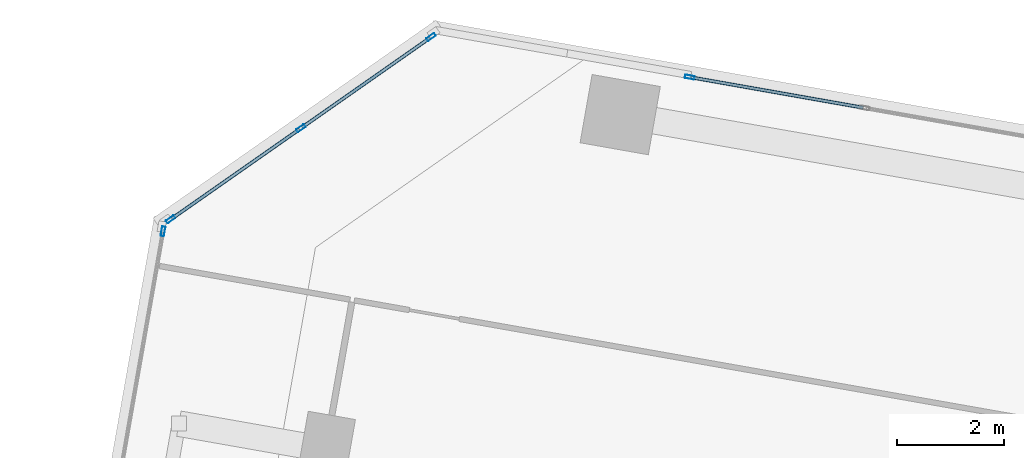
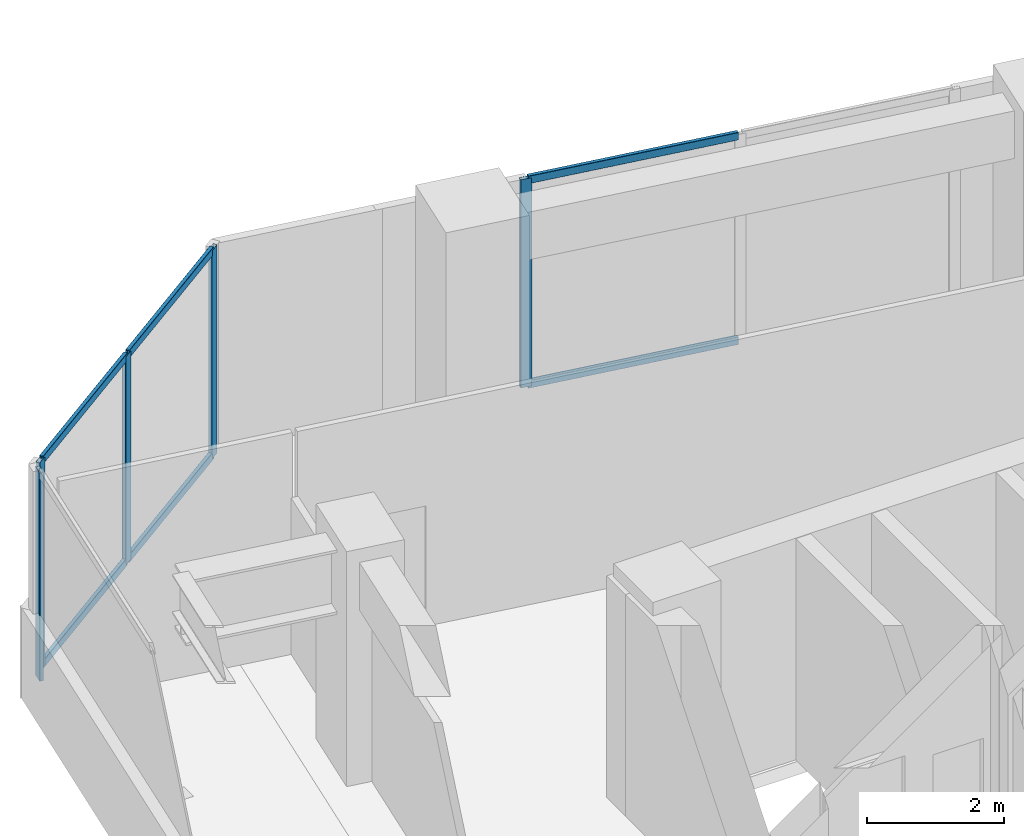
# One storey, part 14 of 24: 11 members, 3 elements without a shape of their own.
"""IFC4 building model written with IfcOpenShell, lengths in metres."""

import ifcopenshell
import ifcopenshell.guid

model = None  # the IFC model being written
_history = None  # IfcOwnerHistory: only IFC2X3 demands one
_inside = {}  # id of a spatial element -> (the spatial element, [elements in it])
_under = {}  # id of a project, library or spatial element -> (it, [spatial elements below it])
_declared = {}  # id of a project -> (the project, [libraries it declares])
_typed = {}  # id of a type object -> (the type object, [elements of that type])
_made_of = {}  # id of a material, layer set ... -> (it, [elements and type objects made of it])


def new_model(schema):
    """Start an empty IFC model of exactly this schema.

    Asked for "IFC4X3", IfcOpenShell would pick the latest addendum, in which some entities
    have other attributes; the version numbers below select the first issue.
    IFC2X3 requires an IfcOwnerHistory on every rooted entity: one is made here for all.
    """
    global model, _history
    if schema == "IFC4X3":
        model = ifcopenshell.file(schema_version=(4, 3, 0, 0))
    else:
        model = ifcopenshell.file(schema=schema)
    _inside.clear()
    _under.clear()
    _declared.clear()
    _typed.clear()
    _made_of.clear()
    _history = None
    if model.schema == "IFC2X3":
        org = make("IfcOrganization", Name="unknown")
        user = make(
            "IfcPersonAndOrganization",
            ThePerson=make("IfcPerson", FamilyName="unknown"),
            TheOrganization=org,
        )
        app = make(
            "IfcApplication",
            ApplicationDeveloper=org,
            Version="unknown",
            ApplicationFullName="unknown",
            ApplicationIdentifier="unknown",
        )
        _history = make(
            "IfcOwnerHistory",
            OwningUser=user,
            OwningApplication=app,
            ChangeAction="ADDED",
            CreationDate=0,
        )
    return model


def make(cls, **values):
    """One entity of the class cls with the attributes given. An attribute that is None is left unset."""
    return model.create_entity(
        cls, **{name: value for name, value in values.items() if value is not None}
    )


def rooted(cls, **values):
    """An entity with a GlobalId (a new one), such as an element, a storey or a relation."""
    return make(cls, GlobalId=ifcopenshell.guid.new(), OwnerHistory=_history, **values)


def si_unit(unit_type, name, prefix=None):
    """IfcSIUnit, for example si_unit("LENGTHUNIT", "METRE", prefix="MILLI")."""
    return make("IfcSIUnit", UnitType=unit_type, Prefix=prefix, Name=name)


def assignment(units):
    """IfcUnitAssignment: the units of a project."""
    return None if units is None else make("IfcUnitAssignment", Units=units)


def point(xyz):
    """IfcCartesianPoint."""
    return None if xyz is None else make("IfcCartesianPoint", Coordinates=xyz)


def direction(xyz):
    """IfcDirection."""
    return None if xyz is None else make("IfcDirection", DirectionRatios=xyz)


def frame(location, z_axis=None, x_axis=None):
    """IfcAxis2Placement3D, a coordinate frame: its origin and axes. An axis left out is left unset."""
    return make(
        "IfcAxis2Placement3D",
        Location=point(location),
        Axis=direction(z_axis),
        RefDirection=direction(x_axis),
    )


def frame_2d(location, x_axis=None):
    """IfcAxis2Placement2D, a coordinate frame in the plane: its origin and x axis."""
    return make(
        "IfcAxis2Placement2D", Location=point(location), RefDirection=direction(x_axis)
    )


def origin():
    """The frame at (0, 0, 0) with its axes left unset."""
    return frame((0.0, 0.0, 0.0))


def origin_2d():
    """The frame at (0, 0) in the plane with its x axis left unset."""
    return frame_2d((0.0, 0.0))


def place(relative_to, where):
    """IfcLocalPlacement: puts the frame where relative to a parent placement (None: the world)."""
    return make(
        "IfcLocalPlacement", PlacementRelTo=relative_to, RelativePlacement=where
    )


def context(
    kind, dimensions, precision=None, world=None, true_north=None, identifier=None
):
    """IfcGeometricRepresentationContext, for example the 3D "Model" context."""
    return make(
        "IfcGeometricRepresentationContext",
        ContextIdentifier=identifier,
        ContextType=kind,
        CoordinateSpaceDimension=dimensions,
        Precision=precision,
        WorldCoordinateSystem=world,
        TrueNorth=true_north,
    )


def subcontext(parent, identifier, kind, view, scale=None):
    """IfcGeometricRepresentationSubContext, for example "Body" below "Model"."""
    return make(
        "IfcGeometricRepresentationSubContext",
        ContextIdentifier=identifier,
        ContextType=kind,
        ParentContext=parent,
        TargetScale=scale,
        TargetView=view,
    )


def project(units=None, contexts=None):
    """IfcProject with its units and contexts."""
    return rooted(
        "IfcProject",
        Name="project",
        RepresentationContexts=contexts,
        UnitsInContext=assignment(units),
    )


def spatial(cls, under=None, at=None, **own):
    """A site, building, storey or space (cls), placed at a placement, below another one or the project."""
    s = rooted(cls, ObjectPlacement=at, **own)
    if under is not None:
        _under.setdefault(under.id(), (under, []))[1].append(s)
    return s


def profile(cls, at=None, kind="AREA", **sizes):
    """A parametric profile (cls). Its sizes go by their IFC names, for example OverallWidth=200.0."""
    return make(cls, ProfileType=kind, Position=at, **sizes)


def hollow_rectangle(**sizes):
    """IfcRectangleHollowProfileDef."""
    return profile("IfcRectangleHollowProfileDef", **sizes)


def extrude(swept, where, along, depth):
    """IfcExtrudedAreaSolid: the profile swept, set in the frame where, extruded along a direction by depth."""
    return make(
        "IfcExtrudedAreaSolid",
        SweptArea=swept,
        Position=where,
        ExtrudedDirection=direction(along),
        Depth=depth,
    )


def shape(context_of_items, identifier, shape_type, items):
    """IfcShapeRepresentation: the items that make up one representation, for example the "Body"."""
    return make(
        "IfcShapeRepresentation",
        ContextOfItems=context_of_items,
        RepresentationIdentifier=identifier,
        RepresentationType=shape_type,
        Items=items,
    )


def source(mapping_origin, context_of_items, identifier, shape_type, items):
    """IfcRepresentationMap: a shape defined once, which mapped items show again and again."""
    return make(
        "IfcRepresentationMap",
        MappingOrigin=mapping_origin,
        MappedRepresentation=shape(context_of_items, identifier, shape_type, items),
    )


def transform(
    local_origin,
    x_axis=None,
    y_axis=None,
    z_axis=None,
    scale=None,
    scale2=None,
    scale3=None,
    uniform=True,
):
    """IfcCartesianTransformationOperator3D, or its non-uniform kind. x_axis, y_axis, z_axis: its Axis1, 2, 3."""
    if uniform:
        return make(
            "IfcCartesianTransformationOperator3D",
            Axis1=direction(x_axis),
            Axis2=direction(y_axis),
            LocalOrigin=point(local_origin),
            Scale=scale,
            Axis3=direction(z_axis),
        )
    return make(
        "IfcCartesianTransformationOperator3DnonUniform",
        Axis1=direction(x_axis),
        Axis2=direction(y_axis),
        LocalOrigin=point(local_origin),
        Scale=scale,
        Axis3=direction(z_axis),
        Scale2=scale2,
        Scale3=scale3,
    )


def mapped(mapping_source, mapping_target):
    """IfcMappedItem: shows the shape of a source again, moved by a transform."""
    return make(
        "IfcMappedItem", MappingSource=mapping_source, MappingTarget=mapping_target
    )


def material(Name=None, Category=None):
    """IfcMaterial."""
    return make("IfcMaterial", Name=Name, Category=Category)


def material_profile(
    of_material, cross_section, Name=None, Category=None, Priority=None
):
    """IfcMaterialProfile: a cross section and its material."""
    return make(
        "IfcMaterialProfile",
        Name=Name,
        Material=of_material,
        Profile=cross_section,
        Priority=Priority,
        Category=Category,
    )


def profile_set(profiles, Name=None, composite=None):
    """IfcMaterialProfileSet."""
    return make(
        "IfcMaterialProfileSet",
        Name=Name,
        MaterialProfiles=profiles,
        CompositeProfile=composite,
    )


def made_of(thing, what):
    """Note that an element or type object is made of a material, layer set ...; save() writes the relation."""
    if what is not None:
        _made_of.setdefault(what.id(), (what, []))[1].append(thing)
    return thing


def type_object(cls, material=None, **own):
    """A type object (cls), such as IfcWallType, which elements share."""
    return made_of(rooted(cls, **own), material)


def element(
    cls,
    number,
    at=None,
    inside=None,
    cuts=None,
    type_object=None,
    material=None,
    context=None,
    identifier="Body",
    shape_type=None,
    held_by="IfcProductDefinitionShape",
    body=None,
    shapes=None,
    **own,
):
    """One element of the class cls, such as IfcWall. Its Tag is "e" and its number.

    at: its placement. inside: the storey or other place that contains it. cuts: it is an
    opening in that element (IfcRelVoidsElement). A single representation is given by context,
    identifier, shape_type and body (its items); several are given by shapes. held_by: the class
    of the entity that holds the representations. save() writes the other relations.
    """
    e = rooted(cls, Tag="e%d" % number, ObjectPlacement=at, **own)
    if body is not None:
        shapes = [shape(context, identifier, shape_type, body)]
    if shapes is not None:
        e.Representation = make(held_by, Representations=shapes)
    if inside is not None:
        _inside.setdefault(inside.id(), (inside, []))[1].append(e)
    if cuts is not None:
        rooted(
            "IfcRelVoidsElement", RelatingBuildingElement=cuts, RelatedOpeningElement=e
        )
    if type_object is not None:
        _typed.setdefault(type_object.id(), (type_object, []))[1].append(e)
    return made_of(e, material)


def aggregate(whole, parts):
    """IfcRelAggregates: a whole, such as a stair, and the parts it consists of."""
    return rooted("IfcRelAggregates", RelatingObject=whole, RelatedObjects=parts)


def save(model, path):
    """Write the relations noted so far, then the file.

    IfcRelAggregates (storeys below a building ...), IfcRelContainedInSpatialStructure (elements
    in a storey), IfcRelDefinesByType, IfcRelAssociatesMaterial and IfcRelDeclares: one each for
    every whole, place, type object, material and project.
    """
    for whole, parts in _under.values():
        aggregate(whole, parts)
    for where, things in _inside.values():
        rooted(
            "IfcRelContainedInSpatialStructure",
            RelatedElements=things,
            RelatingStructure=where,
        )
    for kind, things in _typed.values():
        rooted("IfcRelDefinesByType", RelatedObjects=things, RelatingType=kind)
    for what, things in _made_of.values():
        rooted("IfcRelAssociatesMaterial", RelatedObjects=things, RelatingMaterial=what)
    for by, libraries in _declared.values():
        rooted("IfcRelDeclares", RelatingContext=by, RelatedDefinitions=libraries)
    model.write(path)


model = new_model("IFC4")

# Units and contexts
model_context = context("Model", 3, precision=1e-05, world=origin(), true_north=direction((0.0, 1.0)))
body_context = subcontext(model_context, "Body", "Model", "MODEL_VIEW")
ifc_project = project(units=[si_unit("LENGTHUNIT", "METRE"), si_unit("AREAUNIT", "SQUARE_METRE"), si_unit("VOLUMEUNIT", "CUBIC_METRE"), si_unit("PLANEANGLEUNIT", "RADIAN"), si_unit("MASSUNIT", "GRAM", prefix="KILO")], contexts=[model_context])

# Site, building, storey
site_placement = place(None, origin())
site = spatial("IfcSite", under=ifc_project, at=site_placement, CompositionType="ELEMENT")
building_placement = place(site_placement, origin())
building = spatial("IfcBuilding", under=site, at=building_placement, Name="Torre Montelarca", CompositionType="ELEMENT")
storey_placement = place(building_placement, frame((0.0, 0.0, 74.800048828125)))
storey = spatial("IfcBuildingStorey", under=building, at=storey_placement, Name="L16", CompositionType="ELEMENT", Elevation=74.800048828125)

# Curtain wall, members
ifc_material_1 = material(Name="Insulated low-E laminated glass", Category="glass")
curtain_wall_type = type_object("IfcCurtainWallType", Name="CW-SYS-Z1", PredefinedType="USERDEFINED", material=ifc_material_1)
curtain_wall_1_placement = place(storey_placement, origin())
curtain_wall_1 = element("IfcCurtainWall", 1, at=curtain_wall_1_placement, inside=storey, type_object=curtain_wall_type, Name="L16 Curtain Wall Run CW-T3-L16-E08-B4", ObjectType="UNITISED GLAZING", PredefinedType="USERDEFINED")
ifc_material_2 = material(Name="Anodised aluminium AA 6063-T6", Category="aluminium")
ifc_material_profile_1 = material_profile(ifc_material_2, hollow_rectangle(XDim=0.06494140625, YDim=0.139892578125, WallThickness=0.00390625, InnerFilletRadius=0.00390625, OuterFilletRadius=0.008056640625, at=origin_2d()), Name="ALU65X140X4", Category="aluminium")
ifc_profile_set_1 = profile_set([ifc_material_profile_1], Name="Anodised aluminium AA 6063-T6")
member_type_1 = type_object("IfcMemberType", Name="CWT-ALU140", PredefinedType="USERDEFINED", material=ifc_profile_set_1)
shared_shape_1 = source(origin(), body_context, "Body", "SweptSolid", [
    extrude(hollow_rectangle(XDim=0.06494140625, YDim=0.139892578125, WallThickness=0.00390625, InnerFilletRadius=0.00390625, OuterFilletRadius=0.008056640625, at=origin_2d()), origin(), (0.0, 0.0, 1.0), 3.272705078125),
])
member_1_placement = place(storey_placement, frame((16.380126953125, 49.220703125, 0.032470703125), z_axis=(-0.984816586048, 0.17359807558, 0.0), x_axis=(-0.17359807558, -0.984816586048, 0.0)))
member_1 = element("IfcMember", 2, at=member_1_placement, type_object=member_type_1, Name="CW transom 2.1", ObjectType="TRANSOM", PredefinedType="USERDEFINED", context=body_context, shape_type="MappedRepresentation", body=[
    mapped(shared_shape_1, transform((0.0, 0.0, 0.0), scale=1.0)),
])
member_2_placement = place(storey_placement, frame((16.380126953125, 49.220703125, 3.6875), z_axis=(-0.984816586048, 0.17359807558, 0.0), x_axis=(-0.17359807558, -0.984816586048, 0.0)))
member_2 = element("IfcMember", 3, at=member_2_placement, type_object=member_type_1, Name="CW transom 2.2", ObjectType="TRANSOM", PredefinedType="USERDEFINED", context=body_context, shape_type="MappedRepresentation", body=[
    mapped(shared_shape_1, transform((0.0, 0.0, 0.0), scale=1.0)),
])

curtain_wall_2_placement = place(storey_placement, origin())
curtain_wall_2 = element("IfcCurtainWall", 4, at=curtain_wall_2_placement, inside=storey, type_object=curtain_wall_type, Name="L16 Curtain Wall Run CW-T3-L16-E09-B1", ObjectType="UNITISED GLAZING", PredefinedType="USERDEFINED")
shared_shape_2 = source(origin(), body_context, "Body", "SweptSolid", [
    extrude(hollow_rectangle(XDim=0.06494140625, YDim=0.139892578125, WallThickness=0.00390625, InnerFilletRadius=0.00390625, OuterFilletRadius=0.008056640625, at=origin_2d()), origin(), (0.0, 0.0, 1.0), 2.918701171875),
])
member_3_placement = place(storey_placement, frame((8.244873046875, 50.528076171875, 0.032470703125), z_axis=(-0.819157248605, -0.573569003746, 0.0), x_axis=(0.573569003746, -0.819157248605, 0.0)))
member_3 = element("IfcMember", 5, at=member_3_placement, type_object=member_type_1, Name="CW transom 1.1", ObjectType="TRANSOM", PredefinedType="USERDEFINED", context=body_context, shape_type="MappedRepresentation", body=[
    mapped(shared_shape_2, transform((0.0, 0.0, 0.0), scale=1.0)),
])
member_4_placement = place(storey_placement, frame((8.244873046875, 50.528076171875, 3.6875), z_axis=(-0.819157248605, -0.573569003746, 0.0), x_axis=(0.573569003746, -0.819157248605, 0.0)))
member_4 = element("IfcMember", 6, at=member_4_placement, type_object=member_type_1, Name="CW transom 1.2", ObjectType="TRANSOM", PredefinedType="USERDEFINED", context=body_context, shape_type="MappedRepresentation", body=[
    mapped(shared_shape_2, transform((0.0, 0.0, 0.0), scale=1.0)),
])
shared_shape_3 = source(origin(), body_context, "Body", "SweptSolid", [
    extrude(hollow_rectangle(XDim=0.06494140625, YDim=0.139892578125, WallThickness=0.00390625, InnerFilletRadius=0.00390625, OuterFilletRadius=0.008056640625, at=origin_2d()), origin(), (0.0, 0.0, 1.0), 2.91845703125),
])
member_5_placement = place(storey_placement, frame((5.80078125, 48.816650390625, 0.032470703125), z_axis=(-0.819196549646, -0.573512870865, 0.0), x_axis=(0.573512870865, -0.819196549646, 0.0)))
member_5 = element("IfcMember", 7, at=member_5_placement, type_object=member_type_1, Name="CW transom 2.1", ObjectType="TRANSOM", PredefinedType="USERDEFINED", context=body_context, shape_type="MappedRepresentation", body=[
    mapped(shared_shape_3, transform((0.0, 0.0, 0.0), scale=1.0)),
])
member_6_placement = place(storey_placement, frame((5.80078125, 48.816650390625, 3.6875), z_axis=(-0.819196549646, -0.573512870865, 0.0), x_axis=(0.573512870865, -0.819196549646, 0.0)))
member_6 = element("IfcMember", 8, at=member_6_placement, type_object=member_type_1, Name="CW transom 2.2", ObjectType="TRANSOM", PredefinedType="USERDEFINED", context=body_context, shape_type="MappedRepresentation", body=[
    mapped(shared_shape_3, transform((0.0, 0.0, 0.0), scale=1.0)),
])

# Member
ifc_material_profile_2 = material_profile(ifc_material_2, hollow_rectangle(XDim=0.06494140625, YDim=0.179931640625, WallThickness=0.00390625, InnerFilletRadius=0.00390625, OuterFilletRadius=0.008056640625, at=origin_2d()), Name="ALU65X180X4", Category="aluminium")
ifc_profile_set_2 = profile_set([ifc_material_profile_2], Name="Anodised aluminium AA 6063-T6")
member_type_2 = type_object("IfcMemberType", Name="CWM-ALU180", PredefinedType="MULLION", material=ifc_profile_set_2)
shared_shape_4 = source(origin(), body_context, "Body", "SweptSolid", [
    extrude(hollow_rectangle(XDim=0.06494140625, YDim=0.179931640625, WallThickness=0.00390625, InnerFilletRadius=0.00390625, OuterFilletRadius=0.008056640625, at=origin_2d()), origin(), (0.0, 0.0, 1.0), 3.719970703125),
])
member_7_placement = place(storey_placement, frame((13.125244140625, 49.794677734375, 0.0), z_axis=(0.0, 0.0, 1.0), x_axis=(-0.173652446425, -0.984807000305, 0.0)))
member_7 = element("IfcMember", 9, at=member_7_placement, type_object=member_type_2, Name="CW mullion 3", PredefinedType="MULLION", context=body_context, shape_type="MappedRepresentation", body=[
    mapped(shared_shape_4, transform((0.0, 0.0, 0.0), scale=1.0)),
])

aggregate(curtain_wall_1, [member_7, member_1, member_2])

member_8_placement = place(storey_placement, frame((8.271484375, 50.546630859375, 0.0), z_axis=(0.0, 0.0, 1.0), x_axis=(0.573553573511, -0.819168052546, 0.0)))
member_8 = element("IfcMember", 10, at=member_8_placement, type_object=member_type_2, Name="CW mullion 1", PredefinedType="MULLION", context=body_context, shape_type="MappedRepresentation", body=[
    mapped(shared_shape_4, transform((0.0, 0.0, 0.0), scale=1.0)),
])

member_9_placement = place(storey_placement, frame((5.827392578125, 48.83544921875, 0.0), z_axis=(0.0, 0.0, 1.0), x_axis=(0.573553573511, -0.819168052546, 0.0)))
member_9 = element("IfcMember", 11, at=member_9_placement, type_object=member_type_2, Name="CW mullion 2", PredefinedType="MULLION", context=body_context, shape_type="MappedRepresentation", body=[
    mapped(shared_shape_4, transform((0.0, 0.0, 0.0), scale=1.0)),
])

member_10_placement = place(storey_placement, frame((3.38330078125, 47.1240234375, 0.0), z_axis=(0.0, 0.0, 1.0), x_axis=(0.573553573511, -0.819168052546, 0.0)))
member_10 = element("IfcMember", 12, at=member_10_placement, type_object=member_type_2, Name="CW mullion 3", PredefinedType="MULLION", context=body_context, shape_type="MappedRepresentation", body=[
    mapped(shared_shape_4, transform((0.0, 0.0, 0.0), scale=1.0)),
])

aggregate(curtain_wall_2, [member_8, member_9, member_10, member_3, member_4, member_5, member_6])

# Curtain wall, member
curtain_wall_3_placement = place(storey_placement, origin())
curtain_wall_3 = element("IfcCurtainWall", 13, at=curtain_wall_3_placement, inside=storey, type_object=curtain_wall_type, Name="L16 Curtain Wall Run CW-T3-L16-E10-B1", ObjectType="UNITISED GLAZING", PredefinedType="USERDEFINED")
member_11_placement = place(storey_placement, frame((3.23974609375, 46.89892578125, 0.0), z_axis=(0.0, 0.0, 1.0), x_axis=(0.984808126187, -0.173646061274, 0.0)))
member_11 = element("IfcMember", 14, at=member_11_placement, type_object=member_type_2, Name="CW mullion 1", PredefinedType="MULLION", context=body_context, shape_type="MappedRepresentation", body=[
    mapped(shared_shape_4, transform((0.0, 0.0, 0.0), scale=1.0)),
])
aggregate(curtain_wall_3, [member_11])

save(model, "model.ifc")
